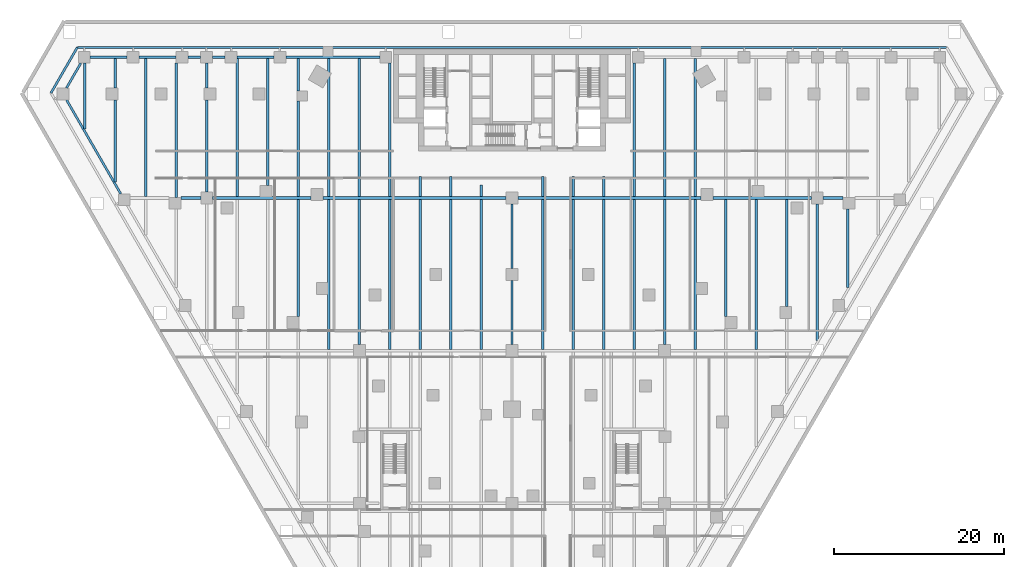
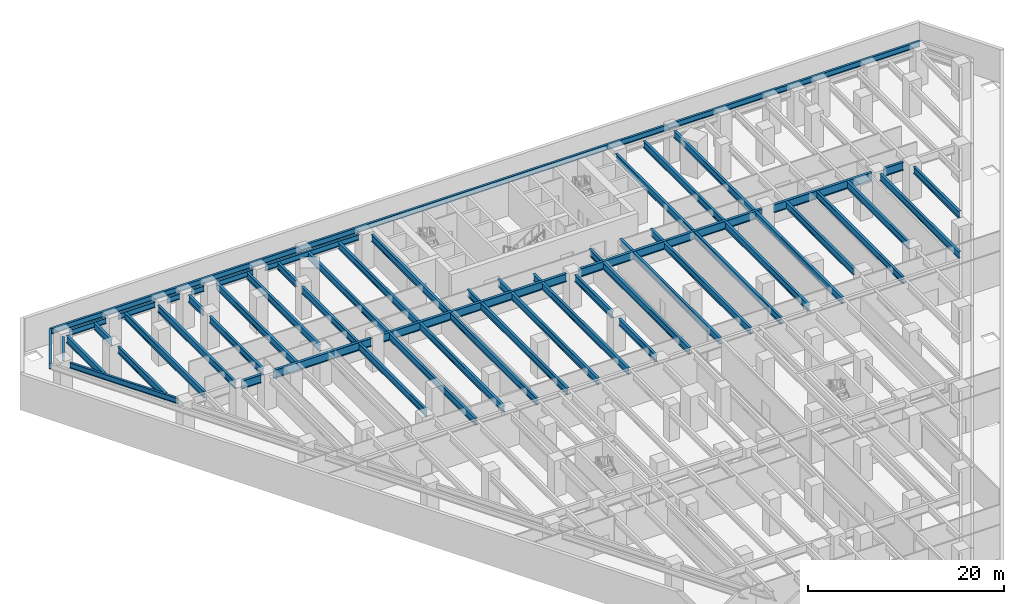
# One storey, part 3 of 20: 59 beams.
"""IFC4 building model written with IfcOpenShell, lengths in metres."""

from ifc_helpers import new_model, si_unit, direction, frame, origin, origin_2d, place, context, subcontext, project, spatial, i_section, extrude, material, material_profile, profile_set, type_object, element, save


model = new_model("IFC4")

# Units and contexts
model_context = context("Model", 3, precision=1e-05, world=origin(), true_north=direction((0.0, 1.0)))
body_context = subcontext(model_context, "Body", "Model", "MODEL_VIEW")
ifc_project = project(units=[si_unit("LENGTHUNIT", "METRE"), si_unit("AREAUNIT", "SQUARE_METRE"), si_unit("VOLUMEUNIT", "CUBIC_METRE"), si_unit("PLANEANGLEUNIT", "RADIAN"), si_unit("MASSUNIT", "GRAM", prefix="KILO")], contexts=[model_context])

# Site, building, storey
site_placement = place(None, origin())
site = spatial("IfcSite", under=ifc_project, at=site_placement, CompositionType="ELEMENT")
building_placement = place(site_placement, origin())
building = spatial("IfcBuilding", under=site, at=building_placement, Name="Aloe Facet Convention Tower", CompositionType="ELEMENT")
storey_placement = place(building_placement, frame((0.0, 0.0, -4.5)))
storey = spatial("IfcBuildingStorey", under=building, at=storey_placement, Name="B1", CompositionType="ELEMENT", Elevation=-4.5)

# Beams
ifc_material_1 = material(Name="Steel S355", Category="steel")
ifc_material_profile_1 = material_profile(ifc_material_1, i_section(OverallWidth=0.25439453125, OverallDepth=0.6875, WebThickness=0.01318359375, FlangeThickness=0.02099609375, FilletRadius=0.01513671875, at=origin_2d()), Name="UB 686x254x152")
ifc_profile_set_1 = profile_set([ifc_material_profile_1], Name="Steel S355")
beam_type_1 = type_object("IfcBeamType", Name="EV-EB-UB686x254x152", PredefinedType="BEAM", material=ifc_profile_set_1)
beam_1_placement = place(storey_placement, frame((131.267578125, 134.77490234375, 3.856201171875), z_axis=(-1.0, 0.0, 0.0), x_axis=(0.0, -1.0, 0.0)))
element("IfcBeam", 1, at=beam_1_placement, inside=storey, type_object=beam_type_1, Name="EB-L00-N", PredefinedType="BEAM", context=body_context, shape_type="SweptSolid", body=[
    extrude(i_section(OverallWidth=0.25439453125, OverallDepth=0.6875, WebThickness=0.01318359375, FlangeThickness=0.02099609375, FilletRadius=0.01513671875, at=origin_2d()), origin(), (0.0, 0.0, 1.0), 102.53515625),
])
beam_2_placement = place(storey_placement, frame((28.732421875, 134.77490234375, 3.856201171875), z_axis=(-0.500016243463, -0.866016025414, 0.0), x_axis=(0.866016025414, -0.500016243463, 0.0)))
element("IfcBeam", 2, at=beam_2_placement, inside=storey, type_object=beam_type_1, Name="EB-L00-A", PredefinedType="BEAM", context=body_context, shape_type="SweptSolid", body=[
    extrude(i_section(OverallWidth=0.25439453125, OverallDepth=0.6875, WebThickness=0.01318359375, FlangeThickness=0.02099609375, FilletRadius=0.01513671875, at=origin_2d()), origin(), (0.0, 0.0, 1.0), 6.210205078125),
])
ifc_material_2 = material(Name="Steel S355", Category="steel")
ifc_material_profile_2 = material_profile(ifc_material_2, i_section(OverallWidth=0.305419921875, OverallDepth=1.02587890625, WebThickness=0.02001953125, FlangeThickness=0.031005859375, FilletRadius=0.030029296875, at=origin_2d()), Name="UB 1016x305x349")
ifc_profile_set_2 = profile_set([ifc_material_profile_2], Name="Steel S355")
beam_type_2 = type_object("IfcBeamType", Name="SF-B-UB1016x305x349", PredefinedType="BEAM", material=ifc_profile_set_2)
beam_3_placement = place(storey_placement, frame((40.969970703125, 117.0, 3.68701171875), z_axis=(1.0, 0.0, 0.0), x_axis=(0.0, 1.0, 0.0)))
element("IfcBeam", 3, at=beam_3_placement, inside=storey, type_object=beam_type_2, Name="Floor beam FB-L00-031", PredefinedType="BEAM", context=body_context, shape_type="SweptSolid", body=[
    extrude(i_section(OverallWidth=0.305419921875, OverallDepth=1.02587890625, WebThickness=0.02001953125, FlangeThickness=0.031005859375, FilletRadius=0.030029296875, at=origin_2d()), origin(), (0.0, 0.0, 1.0), 2.330078125),
])
beam_4_placement = place(storey_placement, frame((44.699951171875, 117.0, 3.68701171875), z_axis=(1.0, 0.0, 0.0), x_axis=(0.0, 1.0, 0.0)))
element("IfcBeam", 4, at=beam_4_placement, inside=storey, type_object=beam_type_2, Name="Floor beam FB-L00-033", PredefinedType="BEAM", context=body_context, shape_type="SweptSolid", body=[
    extrude(i_section(OverallWidth=0.305419921875, OverallDepth=1.02587890625, WebThickness=0.02001953125, FlangeThickness=0.031005859375, FilletRadius=0.030029296875, at=origin_2d()), origin(), (0.0, 0.0, 1.0), 11.583984375),
])
for number, where, z_axis, x_axis, name in (
    (5, (57.68408203125, 117.0, 3.68701171875), (1.0, 0.0, 0.0), (0.0, 1.0, 0.0), "Floor beam FB-L00-035"),
    (6, (80.699951171875, 117.0, 3.68701171875), (1.0, 0.0, 0.0), (0.0, 1.0, 0.0), "Floor beam FB-L00-045"),
):
    element("IfcBeam", number, at=place(storey_placement, frame(where, z_axis=z_axis, x_axis=x_axis)), inside=storey, type_object=beam_type_2, Name=name, PredefinedType="BEAM", context=body_context, shape_type="SweptSolid", body=[
        extrude(i_section(OverallWidth=0.305419921875, OverallDepth=1.02587890625, WebThickness=0.02001953125, FlangeThickness=0.031005859375, FilletRadius=0.030029296875, at=origin_2d()), origin(), (0.0, 0.0, 1.0), 21.615966796875),
    ])
beam_5_placement = place(storey_placement, frame((103.716064453125, 117.0, 3.68701171875), z_axis=(1.0, 0.0, 0.0), x_axis=(0.0, 1.0, 0.0)))
element("IfcBeam", 7, at=beam_5_placement, inside=storey, type_object=beam_type_2, Name="Floor beam FB-L00-049", PredefinedType="BEAM", context=body_context, shape_type="SweptSolid", body=[
    extrude(i_section(OverallWidth=0.305419921875, OverallDepth=1.02587890625, WebThickness=0.02001953125, FlangeThickness=0.031005859375, FilletRadius=0.030029296875, at=origin_2d()), origin(), (0.0, 0.0, 1.0), 11.583984375),
])
beam_6_placement = place(storey_placement, frame((116.699951171875, 117.0, 3.68701171875), z_axis=(1.0, 0.0, 0.0), x_axis=(0.0, 1.0, 0.0)))
element("IfcBeam", 8, at=beam_6_placement, inside=storey, type_object=beam_type_2, Name="Floor beam FB-L00-050", PredefinedType="BEAM", context=body_context, shape_type="SweptSolid", body=[
    extrude(i_section(OverallWidth=0.305419921875, OverallDepth=1.02587890625, WebThickness=0.02001953125, FlangeThickness=0.031005859375, FilletRadius=0.030029296875, at=origin_2d()), origin(), (0.0, 0.0, 1.0), 2.330078125),
])
ifc_material_3 = material(Name="Steel S355", Category="steel")
ifc_material_profile_3 = material_profile(ifc_material_3, i_section(OverallWidth=0.25439453125, OverallDepth=0.6875, WebThickness=0.01318359375, FlangeThickness=0.02099609375, FilletRadius=0.01513671875, at=origin_2d()), Name="UB 686x254x152")
ifc_profile_set_3 = profile_set([ifc_material_profile_3], Name="Steel S355")
beam_type_3 = type_object("IfcBeamType", Name="SF-B-UB686x254x152", PredefinedType="BEAM", material=ifc_profile_set_3)
beam_7_placement = place(storey_placement, frame((27.453125, 129.98388671875, 3.856201171875), z_axis=(0.500006981563, 0.86602137294, 0.0), x_axis=(-0.86602137294, 0.500006981563, 0.0)))
element("IfcBeam", 9, at=beam_7_placement, inside=storey, type_object=beam_type_3, Name="Floor beam FB-L00-001", PredefinedType="BEAM", context=body_context, shape_type="SweptSolid", body=[
    extrude(i_section(OverallWidth=0.25439453125, OverallDepth=0.6875, WebThickness=0.01318359375, FlangeThickness=0.02099609375, FilletRadius=0.01513671875, at=origin_2d()), origin(), (0.0, 0.0, 1.0), 3.3671875),
])
beam_8_placement = place(storey_placement, frame((30.240966796875, 133.60009765625, 3.856201171875), z_axis=(1.0, 0.0, 0.0), x_axis=(0.0, 1.0, 0.0)))
element("IfcBeam", 10, at=beam_8_placement, inside=storey, type_object=beam_type_3, Name="Floor beam FB-L00-002", PredefinedType="BEAM", context=body_context, shape_type="SweptSolid", body=[
    extrude(i_section(OverallWidth=0.25439453125, OverallDepth=0.6875, WebThickness=0.01318359375, FlangeThickness=0.02099609375, FilletRadius=0.01513671875, at=origin_2d()), origin(), (0.0, 0.0, 1.0), 4.373046875),
])
beam_9_placement = place(storey_placement, frame((33.853271484375, 117.4990234375, 3.856201171875), z_axis=(-0.499999833739, 0.866025499775, 0.0), x_axis=(-0.866025499775, -0.499999833739, 0.0)))
element("IfcBeam", 11, at=beam_9_placement, inside=storey, type_object=beam_type_3, Name="Floor beam FB-L00-003", PredefinedType="BEAM", context=body_context, shape_type="SweptSolid", body=[
    extrude(i_section(OverallWidth=0.25439453125, OverallDepth=0.6875, WebThickness=0.01318359375, FlangeThickness=0.02099609375, FilletRadius=0.01513671875, at=origin_2d()), origin(), (0.0, 0.0, 1.0), 12.7998046875),
])
beam_10_placement = place(storey_placement, frame((36.013916015625, 133.60009765625, 3.856201171875), z_axis=(1.0, 0.0, 0.0), x_axis=(0.0, 1.0, 0.0)))
element("IfcBeam", 12, at=beam_10_placement, inside=storey, type_object=beam_type_3, Name="Floor beam FB-L00-004", PredefinedType="BEAM", context=body_context, shape_type="SweptSolid", body=[
    extrude(i_section(OverallWidth=0.25439453125, OverallDepth=0.6875, WebThickness=0.01318359375, FlangeThickness=0.02099609375, FilletRadius=0.01513671875, at=origin_2d()), origin(), (0.0, 0.0, 1.0), 4.3740234375),
])
beam_11_placement = place(storey_placement, frame((41.7880859375, 133.60009765625, 3.856201171875), z_axis=(1.0, 0.0, 0.0), x_axis=(0.0, 1.0, 0.0)))
element("IfcBeam", 13, at=beam_11_placement, inside=storey, type_object=beam_type_3, Name="Floor beam FB-L00-006", PredefinedType="BEAM", context=body_context, shape_type="SweptSolid", body=[
    extrude(i_section(OverallWidth=0.25439453125, OverallDepth=0.6875, WebThickness=0.01318359375, FlangeThickness=0.02099609375, FilletRadius=0.01513671875, at=origin_2d()), origin(), (0.0, 0.0, 1.0), 1.469970703125),
])
beam_12_placement = place(storey_placement, frame((44.657958984375, 133.60009765625, 3.856201171875), z_axis=(1.0, 0.0, 0.0), x_axis=(0.0, 1.0, 0.0)))
element("IfcBeam", 14, at=beam_12_placement, inside=storey, type_object=beam_type_3, Name="Floor beam FB-L00-007", PredefinedType="BEAM", context=body_context, shape_type="SweptSolid", body=[
    extrude(i_section(OverallWidth=0.25439453125, OverallDepth=0.6875, WebThickness=0.01318359375, FlangeThickness=0.02099609375, FilletRadius=0.01513671875, at=origin_2d()), origin(), (0.0, 0.0, 1.0), 1.5029296875),
])
beam_13_placement = place(storey_placement, frame((47.56103515625, 133.60009765625, 3.856201171875), z_axis=(1.0, 0.0, 0.0), x_axis=(0.0, 1.0, 0.0)))
element("IfcBeam", 15, at=beam_13_placement, inside=storey, type_object=beam_type_3, Name="Floor beam FB-L00-008", PredefinedType="BEAM", context=body_context, shape_type="SweptSolid", body=[
    extrude(i_section(OverallWidth=0.25439453125, OverallDepth=0.6875, WebThickness=0.01318359375, FlangeThickness=0.02099609375, FilletRadius=0.01513671875, at=origin_2d()), origin(), (0.0, 0.0, 1.0), 4.3740234375),
])
beam_14_placement = place(storey_placement, frame((53.3349609375, 133.60009765625, 3.856201171875), z_axis=(1.0, 0.0, 0.0), x_axis=(0.0, 1.0, 0.0)))
element("IfcBeam", 16, at=beam_14_placement, inside=storey, type_object=beam_type_3, Name="Floor beam FB-L00-010", PredefinedType="BEAM", context=body_context, shape_type="SweptSolid", body=[
    extrude(i_section(OverallWidth=0.25439453125, OverallDepth=0.6875, WebThickness=0.01318359375, FlangeThickness=0.02099609375, FilletRadius=0.01513671875, at=origin_2d()), origin(), (0.0, 0.0, 1.0), 11.070068359375),
])
ifc_material_4 = material(Name="Steel S355", Category="steel")
ifc_material_profile_4 = material_profile(ifc_material_4, i_section(OverallWidth=0.293701171875, OverallDepth=0.850830078125, WebThickness=0.01611328125, FlangeThickness=0.02685546875, FilletRadius=0.017822265625, at=origin_2d()), Name="UB 838x292x226")
ifc_profile_set_4 = profile_set([ifc_material_profile_4], Name="Steel S355")
beam_type_4 = type_object("IfcBeamType", Name="SF-B-UB838x292x226", PredefinedType="BEAM", material=ifc_profile_set_4)
beam_15_placement = place(storey_placement, frame((29.60009765625, 125.13037109375, 3.774658203125), z_axis=(0.0, 1.0, 0.0), x_axis=(-1.0, 0.0, 0.0)))
element("IfcBeam", 17, at=beam_15_placement, inside=storey, type_object=beam_type_4, Name="Floor beam FB-L00-052", PredefinedType="BEAM", context=body_context, shape_type="SweptSolid", body=[
    extrude(i_section(OverallWidth=0.293701171875, OverallDepth=0.850830078125, WebThickness=0.01611328125, FlangeThickness=0.02685546875, FilletRadius=0.017822265625, at=origin_2d()), origin(), (0.0, 0.0, 1.0), 7.76953125),
])
beam_16_placement = place(storey_placement, frame((33.199951171875, 118.89501953125, 3.774658203125), z_axis=(0.0, 1.0, 0.0), x_axis=(-1.0, 0.0, 0.0)))
element("IfcBeam", 18, at=beam_16_placement, inside=storey, type_object=beam_type_4, Name="Floor beam FB-L00-053", PredefinedType="BEAM", context=body_context, shape_type="SweptSolid", body=[
    extrude(i_section(OverallWidth=0.293701171875, OverallDepth=0.850830078125, WebThickness=0.01611328125, FlangeThickness=0.02685546875, FilletRadius=0.017822265625, at=origin_2d()), origin(), (0.0, 0.0, 1.0), 9.68896484375),
])
beam_17_placement = place(storey_placement, frame((33.199951171875, 129.98388671875, 3.774658203125), z_axis=(0.0, 1.0, 0.0), x_axis=(-1.0, 0.0, 0.0)))
element("IfcBeam", 19, at=beam_17_placement, inside=storey, type_object=beam_type_4, Name="Floor beam FB-L00-054", PredefinedType="BEAM", context=body_context, shape_type="SweptSolid", body=[
    extrude(i_section(OverallWidth=0.293701171875, OverallDepth=0.850830078125, WebThickness=0.01611328125, FlangeThickness=0.02685546875, FilletRadius=0.017822265625, at=origin_2d()), origin(), (0.0, 0.0, 1.0), 3.478759765625),
])
beam_18_placement = place(storey_placement, frame((36.800048828125, 117.152587890625, 3.774658203125), z_axis=(0.0, 1.0, 0.0), x_axis=(-1.0, 0.0, 0.0)))
element("IfcBeam", 20, at=beam_18_placement, inside=storey, type_object=beam_type_4, Name="Floor beam FB-L00-056", PredefinedType="BEAM", context=body_context, shape_type="SweptSolid", body=[
    extrude(i_section(OverallWidth=0.293701171875, OverallDepth=0.850830078125, WebThickness=0.01611328125, FlangeThickness=0.02685546875, FilletRadius=0.017822265625, at=origin_2d()), origin(), (0.0, 0.0, 1.0), 16.31005859375),
])
beam_19_placement = place(storey_placement, frame((40.39990234375, 117.0849609375, 3.774658203125), z_axis=(0.0, 1.0, 0.0), x_axis=(-1.0, 0.0, 0.0)))
element("IfcBeam", 21, at=beam_19_placement, inside=storey, type_object=beam_type_4, Name="Floor beam FB-L00-058", PredefinedType="BEAM", context=body_context, shape_type="SweptSolid", body=[
    extrude(i_section(OverallWidth=0.293701171875, OverallDepth=0.850830078125, WebThickness=0.01611328125, FlangeThickness=0.02685546875, FilletRadius=0.017822265625, at=origin_2d()), origin(), (0.0, 0.0, 1.0), 15.81494140625),
])
beam_20_placement = place(storey_placement, frame((44.0, 117.699951171875, 3.774658203125), z_axis=(0.0, 1.0, 0.0), x_axis=(-1.0, 0.0, 0.0)))
element("IfcBeam", 22, at=beam_20_placement, inside=storey, type_object=beam_type_4, Name="Floor beam FB-L00-060", PredefinedType="BEAM", context=body_context, shape_type="SweptSolid", body=[
    extrude(i_section(OverallWidth=0.293701171875, OverallDepth=0.850830078125, WebThickness=0.01611328125, FlangeThickness=0.02685546875, FilletRadius=0.017822265625, at=origin_2d()), origin(), (0.0, 0.0, 1.0), 10.884033203125),
])
beam_21_placement = place(storey_placement, frame((44.0, 129.98388671875, 3.774658203125), z_axis=(0.0, 1.0, 0.0), x_axis=(-1.0, 0.0, 0.0)))
element("IfcBeam", 23, at=beam_21_placement, inside=storey, type_object=beam_type_4, Name="Floor beam FB-L00-061", PredefinedType="BEAM", context=body_context, shape_type="SweptSolid", body=[
    extrude(i_section(OverallWidth=0.293701171875, OverallDepth=0.850830078125, WebThickness=0.01611328125, FlangeThickness=0.02685546875, FilletRadius=0.017822265625, at=origin_2d()), origin(), (0.0, 0.0, 1.0), 2.916015625),
])
beam_22_placement = place(storey_placement, frame((47.60009765625, 117.152587890625, 3.774658203125), z_axis=(0.0, 1.0, 0.0), x_axis=(-1.0, 0.0, 0.0)))
element("IfcBeam", 24, at=beam_22_placement, inside=storey, type_object=beam_type_4, Name="Floor beam FB-L00-065", PredefinedType="BEAM", context=body_context, shape_type="SweptSolid", body=[
    extrude(i_section(OverallWidth=0.293701171875, OverallDepth=0.850830078125, WebThickness=0.01611328125, FlangeThickness=0.02685546875, FilletRadius=0.017822265625, at=origin_2d()), origin(), (0.0, 0.0, 1.0), 16.31005859375),
])
beam_23_placement = place(storey_placement, frame((51.199951171875, 118.5048828125, 3.774658203125), z_axis=(0.0, 1.0, 0.0), x_axis=(-1.0, 0.0, 0.0)))
element("IfcBeam", 25, at=beam_23_placement, inside=storey, type_object=beam_type_4, Name="Floor beam FB-L00-068", PredefinedType="BEAM", context=body_context, shape_type="SweptSolid", body=[
    extrude(i_section(OverallWidth=0.293701171875, OverallDepth=0.850830078125, WebThickness=0.01611328125, FlangeThickness=0.02685546875, FilletRadius=0.017822265625, at=origin_2d()), origin(), (0.0, 0.0, 1.0), 14.957763671875),
])
beam_24_placement = place(storey_placement, frame((54.800048828125, 103.02490234375, 3.774658203125), z_axis=(0.0, 1.0, 0.0), x_axis=(-1.0, 0.0, 0.0)))
element("IfcBeam", 26, at=beam_24_placement, inside=storey, type_object=beam_type_4, Name="Floor beam FB-L00-072", PredefinedType="BEAM", context=body_context, shape_type="SweptSolid", body=[
    extrude(i_section(OverallWidth=0.293701171875, OverallDepth=0.850830078125, WebThickness=0.01611328125, FlangeThickness=0.02685546875, FilletRadius=0.017822265625, at=origin_2d()), origin(), (0.0, 0.0, 1.0), 13.822509765625),
])
beam_25_placement = place(storey_placement, frame((54.800048828125, 117.152587890625, 3.774658203125), z_axis=(0.0, 1.0, 0.0), x_axis=(-1.0, 0.0, 0.0)))
element("IfcBeam", 27, at=beam_25_placement, inside=storey, type_object=beam_type_4, Name="Floor beam FB-L00-073", PredefinedType="BEAM", context=body_context, shape_type="SweptSolid", body=[
    extrude(i_section(OverallWidth=0.293701171875, OverallDepth=0.850830078125, WebThickness=0.01611328125, FlangeThickness=0.02685546875, FilletRadius=0.017822265625, at=origin_2d()), origin(), (0.0, 0.0, 1.0), 11.275390625),
])
beam_26_placement = place(storey_placement, frame((54.800048828125, 129.6279296875, 3.774658203125), z_axis=(0.0, 1.0, 0.0), x_axis=(-1.0, 0.0, 0.0)))
element("IfcBeam", 28, at=beam_26_placement, inside=storey, type_object=beam_type_4, Name="Floor beam FB-L00-074", PredefinedType="BEAM", context=body_context, shape_type="SweptSolid", body=[
    extrude(i_section(OverallWidth=0.293701171875, OverallDepth=0.850830078125, WebThickness=0.01611328125, FlangeThickness=0.02685546875, FilletRadius=0.017822265625, at=origin_2d()), origin(), (0.0, 0.0, 1.0), 3.834716796875),
])
beam_27_placement = place(storey_placement, frame((58.39990234375, 99.152587890625, 3.774658203125), z_axis=(0.0, 1.0, 0.0), x_axis=(-1.0, 0.0, 0.0)))
element("IfcBeam", 29, at=beam_27_placement, inside=storey, type_object=beam_type_4, Name="Floor beam FB-L00-077", PredefinedType="BEAM", context=body_context, shape_type="SweptSolid", body=[
    extrude(i_section(OverallWidth=0.293701171875, OverallDepth=0.850830078125, WebThickness=0.01611328125, FlangeThickness=0.02685546875, FilletRadius=0.017822265625, at=origin_2d()), origin(), (0.0, 0.0, 1.0), 17.69482421875),
])
beam_28_placement = place(storey_placement, frame((58.39990234375, 117.152587890625, 3.774658203125), z_axis=(0.0, 1.0, 0.0), x_axis=(-1.0, 0.0, 0.0)))
element("IfcBeam", 30, at=beam_28_placement, inside=storey, type_object=beam_type_4, Name="Floor beam FB-L00-078", PredefinedType="BEAM", context=body_context, shape_type="SweptSolid", body=[
    extrude(i_section(OverallWidth=0.293701171875, OverallDepth=0.850830078125, WebThickness=0.01611328125, FlangeThickness=0.02685546875, FilletRadius=0.017822265625, at=origin_2d()), origin(), (0.0, 0.0, 1.0), 16.31005859375),
])
beam_29_placement = place(storey_placement, frame((62.0, 99.699951171875, 3.774658203125), z_axis=(0.0, 1.0, 0.0), x_axis=(-1.0, 0.0, 0.0)))
element("IfcBeam", 31, at=beam_29_placement, inside=storey, type_object=beam_type_4, Name="Floor beam FB-L00-085", PredefinedType="BEAM", context=body_context, shape_type="SweptSolid", body=[
    extrude(i_section(OverallWidth=0.293701171875, OverallDepth=0.850830078125, WebThickness=0.01611328125, FlangeThickness=0.02685546875, FilletRadius=0.017822265625, at=origin_2d()), origin(), (0.0, 0.0, 1.0), 17.1474609375),
])
beam_30_placement = place(storey_placement, frame((62.0, 117.152587890625, 3.774658203125), z_axis=(0.0, 1.0, 0.0), x_axis=(-1.0, 0.0, 0.0)))
element("IfcBeam", 32, at=beam_30_placement, inside=storey, type_object=beam_type_4, Name="Floor beam FB-L00-086", PredefinedType="BEAM", context=body_context, shape_type="SweptSolid", body=[
    extrude(i_section(OverallWidth=0.293701171875, OverallDepth=0.850830078125, WebThickness=0.01611328125, FlangeThickness=0.02685546875, FilletRadius=0.017822265625, at=origin_2d()), origin(), (0.0, 0.0, 1.0), 16.31005859375),
])
beam_31_placement = place(storey_placement, frame((65.60009765625, 99.152587890625, 3.774658203125), z_axis=(0.0, 1.0, 0.0), x_axis=(-1.0, 0.0, 0.0)))
element("IfcBeam", 33, at=beam_31_placement, inside=storey, type_object=beam_type_4, Name="Floor beam FB-L00-089", PredefinedType="BEAM", context=body_context, shape_type="SweptSolid", body=[
    extrude(i_section(OverallWidth=0.293701171875, OverallDepth=0.850830078125, WebThickness=0.01611328125, FlangeThickness=0.02685546875, FilletRadius=0.017822265625, at=origin_2d()), origin(), (0.0, 0.0, 1.0), 17.69482421875),
])
beam_32_placement = place(storey_placement, frame((65.60009765625, 117.152587890625, 3.774658203125), z_axis=(0.0, 1.0, 0.0), x_axis=(-1.0, 0.0, 0.0)))
element("IfcBeam", 34, at=beam_32_placement, inside=storey, type_object=beam_type_4, Name="Floor beam FB-L00-090", PredefinedType="BEAM", context=body_context, shape_type="SweptSolid", body=[
    extrude(i_section(OverallWidth=0.293701171875, OverallDepth=0.850830078125, WebThickness=0.01611328125, FlangeThickness=0.02685546875, FilletRadius=0.017822265625, at=origin_2d()), origin(), (0.0, 0.0, 1.0), 15.747314453125),
])
beam_33_placement = place(storey_placement, frame((69.199951171875, 99.152587890625, 3.774658203125), z_axis=(0.0, 1.0, 0.0), x_axis=(-1.0, 0.0, 0.0)))
element("IfcBeam", 35, at=beam_33_placement, inside=storey, type_object=beam_type_4, Name="Floor beam FB-L00-096", PredefinedType="BEAM", context=body_context, shape_type="SweptSolid", body=[
    extrude(i_section(OverallWidth=0.293701171875, OverallDepth=0.850830078125, WebThickness=0.01611328125, FlangeThickness=0.02685546875, FilletRadius=0.017822265625, at=origin_2d()), origin(), (0.0, 0.0, 1.0), 17.69482421875),
])
beam_34_placement = place(storey_placement, frame((69.199951171875, 117.152587890625, 3.774658203125), z_axis=(0.0, 1.0, 0.0), x_axis=(-1.0, 0.0, 0.0)))
element("IfcBeam", 36, at=beam_34_placement, inside=storey, type_object=beam_type_4, Name="Floor beam FB-L00-097", PredefinedType="BEAM", context=body_context, shape_type="SweptSolid", body=[
    extrude(i_section(OverallWidth=0.293701171875, OverallDepth=0.850830078125, WebThickness=0.01611328125, FlangeThickness=0.02685546875, FilletRadius=0.017822265625, at=origin_2d()), origin(), (0.0, 0.0, 1.0), 2.3974609375),
])
beam_35_placement = place(storey_placement, frame((72.800048828125, 99.152587890625, 3.774658203125), z_axis=(0.0, 1.0, 0.0), x_axis=(-1.0, 0.0, 0.0)))
element("IfcBeam", 37, at=beam_35_placement, inside=storey, type_object=beam_type_4, Name="Floor beam FB-L00-101", PredefinedType="BEAM", context=body_context, shape_type="SweptSolid", body=[
    extrude(i_section(OverallWidth=0.293701171875, OverallDepth=0.850830078125, WebThickness=0.01611328125, FlangeThickness=0.02685546875, FilletRadius=0.017822265625, at=origin_2d()), origin(), (0.0, 0.0, 1.0), 17.69482421875),
])
beam_36_placement = place(storey_placement, frame((72.800048828125, 117.152587890625, 3.774658203125), z_axis=(0.0, 1.0, 0.0), x_axis=(-1.0, 0.0, 0.0)))
element("IfcBeam", 38, at=beam_36_placement, inside=storey, type_object=beam_type_4, Name="Floor beam FB-L00-102", PredefinedType="BEAM", context=body_context, shape_type="SweptSolid", body=[
    extrude(i_section(OverallWidth=0.293701171875, OverallDepth=0.850830078125, WebThickness=0.01611328125, FlangeThickness=0.02685546875, FilletRadius=0.017822265625, at=origin_2d()), origin(), (0.0, 0.0, 1.0), 2.3974609375),
])
beam_37_placement = place(storey_placement, frame((76.39990234375, 99.152587890625, 3.774658203125), z_axis=(0.0, 1.0, 0.0), x_axis=(-1.0, 0.0, 0.0)))
element("IfcBeam", 39, at=beam_37_placement, inside=storey, type_object=beam_type_4, Name="Floor beam FB-L00-107", PredefinedType="BEAM", context=body_context, shape_type="SweptSolid", body=[
    extrude(i_section(OverallWidth=0.293701171875, OverallDepth=0.850830078125, WebThickness=0.01611328125, FlangeThickness=0.02685546875, FilletRadius=0.017822265625, at=origin_2d()), origin(), (0.0, 0.0, 1.0), 17.69482421875),
])
beam_38_placement = place(storey_placement, frame((76.39990234375, 117.152587890625, 3.774658203125), z_axis=(0.0, 1.0, 0.0), x_axis=(-1.0, 0.0, 0.0)))
element("IfcBeam", 40, at=beam_38_placement, inside=storey, type_object=beam_type_4, Name="Floor beam FB-L00-108", PredefinedType="BEAM", context=body_context, shape_type="SweptSolid", body=[
    extrude(i_section(OverallWidth=0.293701171875, OverallDepth=0.850830078125, WebThickness=0.01611328125, FlangeThickness=0.02685546875, FilletRadius=0.017822265625, at=origin_2d()), origin(), (0.0, 0.0, 1.0), 1.3974609375),
])
for number, where, z_axis, x_axis, name in (
    (41, (80.0, 99.699951171875, 3.774658203125), (0.0, 1.0, 0.0), (-1.0, 0.0, 0.0), "Floor beam FB-L00-113"),
    (42, (80.0, 108.699951171875, 3.774658203125), (0.0, 1.0, 0.0), (-1.0, 0.0, 0.0), "Floor beam FB-L00-114"),
):
    element("IfcBeam", number, at=place(storey_placement, frame(where, z_axis=z_axis, x_axis=x_axis)), inside=storey, type_object=beam_type_4, Name=name, PredefinedType="BEAM", context=body_context, shape_type="SweptSolid", body=[
        extrude(i_section(OverallWidth=0.293701171875, OverallDepth=0.850830078125, WebThickness=0.01611328125, FlangeThickness=0.02685546875, FilletRadius=0.017822265625, at=origin_2d()), origin(), (0.0, 0.0, 1.0), 7.60009765625),
    ])
beam_39_placement = place(storey_placement, frame((83.60009765625, 99.152587890625, 3.774658203125), z_axis=(0.0, 1.0, 0.0), x_axis=(-1.0, 0.0, 0.0)))
element("IfcBeam", 43, at=beam_39_placement, inside=storey, type_object=beam_type_4, Name="Floor beam FB-L00-119", PredefinedType="BEAM", context=body_context, shape_type="SweptSolid", body=[
    extrude(i_section(OverallWidth=0.293701171875, OverallDepth=0.850830078125, WebThickness=0.01611328125, FlangeThickness=0.02685546875, FilletRadius=0.017822265625, at=origin_2d()), origin(), (0.0, 0.0, 1.0), 17.69482421875),
])
beam_40_placement = place(storey_placement, frame((83.60009765625, 117.152587890625, 3.774658203125), z_axis=(0.0, 1.0, 0.0), x_axis=(-1.0, 0.0, 0.0)))
element("IfcBeam", 44, at=beam_40_placement, inside=storey, type_object=beam_type_4, Name="Floor beam FB-L00-120", PredefinedType="BEAM", context=body_context, shape_type="SweptSolid", body=[
    extrude(i_section(OverallWidth=0.293701171875, OverallDepth=0.850830078125, WebThickness=0.01611328125, FlangeThickness=0.02685546875, FilletRadius=0.017822265625, at=origin_2d()), origin(), (0.0, 0.0, 1.0), 2.3974609375),
])
beam_41_placement = place(storey_placement, frame((87.199951171875, 99.152587890625, 3.774658203125), z_axis=(0.0, 1.0, 0.0), x_axis=(-1.0, 0.0, 0.0)))
element("IfcBeam", 45, at=beam_41_placement, inside=storey, type_object=beam_type_4, Name="Floor beam FB-L00-124", PredefinedType="BEAM", context=body_context, shape_type="SweptSolid", body=[
    extrude(i_section(OverallWidth=0.293701171875, OverallDepth=0.850830078125, WebThickness=0.01611328125, FlangeThickness=0.02685546875, FilletRadius=0.017822265625, at=origin_2d()), origin(), (0.0, 0.0, 1.0), 17.69482421875),
])
beam_42_placement = place(storey_placement, frame((87.199951171875, 117.152587890625, 3.774658203125), z_axis=(0.0, 1.0, 0.0), x_axis=(-1.0, 0.0, 0.0)))
element("IfcBeam", 46, at=beam_42_placement, inside=storey, type_object=beam_type_4, Name="Floor beam FB-L00-125", PredefinedType="BEAM", context=body_context, shape_type="SweptSolid", body=[
    extrude(i_section(OverallWidth=0.293701171875, OverallDepth=0.850830078125, WebThickness=0.01611328125, FlangeThickness=0.02685546875, FilletRadius=0.017822265625, at=origin_2d()), origin(), (0.0, 0.0, 1.0), 2.3974609375),
])
beam_43_placement = place(storey_placement, frame((90.800048828125, 99.152587890625, 3.774658203125), z_axis=(0.0, 1.0, 0.0), x_axis=(-1.0, 0.0, 0.0)))
element("IfcBeam", 47, at=beam_43_placement, inside=storey, type_object=beam_type_4, Name="Floor beam FB-L00-132", PredefinedType="BEAM", context=body_context, shape_type="SweptSolid", body=[
    extrude(i_section(OverallWidth=0.293701171875, OverallDepth=0.850830078125, WebThickness=0.01611328125, FlangeThickness=0.02685546875, FilletRadius=0.017822265625, at=origin_2d()), origin(), (0.0, 0.0, 1.0), 17.69482421875),
])
beam_44_placement = place(storey_placement, frame((90.800048828125, 117.152587890625, 3.774658203125), z_axis=(0.0, 1.0, 0.0), x_axis=(-1.0, 0.0, 0.0)))
element("IfcBeam", 48, at=beam_44_placement, inside=storey, type_object=beam_type_4, Name="Floor beam FB-L00-133", PredefinedType="BEAM", context=body_context, shape_type="SweptSolid", body=[
    extrude(i_section(OverallWidth=0.293701171875, OverallDepth=0.850830078125, WebThickness=0.01611328125, FlangeThickness=0.02685546875, FilletRadius=0.017822265625, at=origin_2d()), origin(), (0.0, 0.0, 1.0), 2.3974609375),
])
beam_45_placement = place(storey_placement, frame((94.39990234375, 99.152587890625, 3.774658203125), z_axis=(0.0, 1.0, 0.0), x_axis=(-1.0, 0.0, 0.0)))
element("IfcBeam", 49, at=beam_45_placement, inside=storey, type_object=beam_type_4, Name="Floor beam FB-L00-137", PredefinedType="BEAM", context=body_context, shape_type="SweptSolid", body=[
    extrude(i_section(OverallWidth=0.293701171875, OverallDepth=0.850830078125, WebThickness=0.01611328125, FlangeThickness=0.02685546875, FilletRadius=0.017822265625, at=origin_2d()), origin(), (0.0, 0.0, 1.0), 17.69482421875),
])
beam_46_placement = place(storey_placement, frame((94.39990234375, 117.152587890625, 3.774658203125), z_axis=(0.0, 1.0, 0.0), x_axis=(-1.0, 0.0, 0.0)))
element("IfcBeam", 50, at=beam_46_placement, inside=storey, type_object=beam_type_4, Name="Floor beam FB-L00-138", PredefinedType="BEAM", context=body_context, shape_type="SweptSolid", body=[
    extrude(i_section(OverallWidth=0.293701171875, OverallDepth=0.850830078125, WebThickness=0.01611328125, FlangeThickness=0.02685546875, FilletRadius=0.017822265625, at=origin_2d()), origin(), (0.0, 0.0, 1.0), 15.747314453125),
])
beam_47_placement = place(storey_placement, frame((98.0, 99.699951171875, 3.774658203125), z_axis=(0.0, 1.0, 0.0), x_axis=(-1.0, 0.0, 0.0)))
element("IfcBeam", 51, at=beam_47_placement, inside=storey, type_object=beam_type_4, Name="Floor beam FB-L00-143", PredefinedType="BEAM", context=body_context, shape_type="SweptSolid", body=[
    extrude(i_section(OverallWidth=0.293701171875, OverallDepth=0.850830078125, WebThickness=0.01611328125, FlangeThickness=0.02685546875, FilletRadius=0.017822265625, at=origin_2d()), origin(), (0.0, 0.0, 1.0), 17.1474609375),
])
beam_48_placement = place(storey_placement, frame((98.0, 117.152587890625, 3.774658203125), z_axis=(0.0, 1.0, 0.0), x_axis=(-1.0, 0.0, 0.0)))
element("IfcBeam", 52, at=beam_48_placement, inside=storey, type_object=beam_type_4, Name="Floor beam FB-L00-144", PredefinedType="BEAM", context=body_context, shape_type="SweptSolid", body=[
    extrude(i_section(OverallWidth=0.293701171875, OverallDepth=0.850830078125, WebThickness=0.01611328125, FlangeThickness=0.02685546875, FilletRadius=0.017822265625, at=origin_2d()), origin(), (0.0, 0.0, 1.0), 16.31005859375),
])
beam_49_placement = place(storey_placement, frame((101.60009765625, 99.152587890625, 3.774658203125), z_axis=(0.0, 1.0, 0.0), x_axis=(-1.0, 0.0, 0.0)))
element("IfcBeam", 53, at=beam_49_placement, inside=storey, type_object=beam_type_4, Name="Floor beam FB-L00-147", PredefinedType="BEAM", context=body_context, shape_type="SweptSolid", body=[
    extrude(i_section(OverallWidth=0.293701171875, OverallDepth=0.850830078125, WebThickness=0.01611328125, FlangeThickness=0.02685546875, FilletRadius=0.017822265625, at=origin_2d()), origin(), (0.0, 0.0, 1.0), 17.69482421875),
])
beam_50_placement = place(storey_placement, frame((101.60009765625, 117.152587890625, 3.774658203125), z_axis=(0.0, 1.0, 0.0), x_axis=(-1.0, 0.0, 0.0)))
element("IfcBeam", 54, at=beam_50_placement, inside=storey, type_object=beam_type_4, Name="Floor beam FB-L00-148", PredefinedType="BEAM", context=body_context, shape_type="SweptSolid", body=[
    extrude(i_section(OverallWidth=0.293701171875, OverallDepth=0.850830078125, WebThickness=0.01611328125, FlangeThickness=0.02685546875, FilletRadius=0.017822265625, at=origin_2d()), origin(), (0.0, 0.0, 1.0), 16.31005859375),
])
beam_51_placement = place(storey_placement, frame((105.199951171875, 103.02490234375, 3.774658203125), z_axis=(0.0, 1.0, 0.0), x_axis=(-1.0, 0.0, 0.0)))
element("IfcBeam", 55, at=beam_51_placement, inside=storey, type_object=beam_type_4, Name="Floor beam FB-L00-152", PredefinedType="BEAM", context=body_context, shape_type="SweptSolid", body=[
    extrude(i_section(OverallWidth=0.293701171875, OverallDepth=0.850830078125, WebThickness=0.01611328125, FlangeThickness=0.02685546875, FilletRadius=0.017822265625, at=origin_2d()), origin(), (0.0, 0.0, 1.0), 13.822509765625),
])
beam_52_placement = place(storey_placement, frame((108.800048828125, 99.152587890625, 3.774658203125), z_axis=(0.0, 1.0, 0.0), x_axis=(-1.0, 0.0, 0.0)))
element("IfcBeam", 56, at=beam_52_placement, inside=storey, type_object=beam_type_4, Name="Floor beam FB-L00-156", PredefinedType="BEAM", context=body_context, shape_type="SweptSolid", body=[
    extrude(i_section(OverallWidth=0.293701171875, OverallDepth=0.850830078125, WebThickness=0.01611328125, FlangeThickness=0.02685546875, FilletRadius=0.017822265625, at=origin_2d()), origin(), (0.0, 0.0, 1.0), 17.69482421875),
])
beam_53_placement = place(storey_placement, frame((112.39990234375, 104.18505859375, 3.774658203125), z_axis=(0.0, 1.0, 0.0), x_axis=(-1.0, 0.0, 0.0)))
element("IfcBeam", 57, at=beam_53_placement, inside=storey, type_object=beam_type_4, Name="Floor beam FB-L00-160", PredefinedType="BEAM", context=body_context, shape_type="SweptSolid", body=[
    extrude(i_section(OverallWidth=0.293701171875, OverallDepth=0.850830078125, WebThickness=0.01611328125, FlangeThickness=0.02685546875, FilletRadius=0.017822265625, at=origin_2d()), origin(), (0.0, 0.0, 1.0), 12.662353515625),
])
beam_54_placement = place(storey_placement, frame((116.0, 100.18896484375, 3.774658203125), z_axis=(0.0, 1.0, 0.0), x_axis=(-1.0, 0.0, 0.0)))
element("IfcBeam", 58, at=beam_54_placement, inside=storey, type_object=beam_type_4, Name="Floor beam FB-L00-162", PredefinedType="BEAM", context=body_context, shape_type="SweptSolid", body=[
    extrude(i_section(OverallWidth=0.293701171875, OverallDepth=0.850830078125, WebThickness=0.01611328125, FlangeThickness=0.02685546875, FilletRadius=0.017822265625, at=origin_2d()), origin(), (0.0, 0.0, 1.0), 16.111083984375),
])
beam_55_placement = place(storey_placement, frame((119.60009765625, 106.42431640625, 3.774658203125), z_axis=(0.0, 1.0, 0.0), x_axis=(-1.0, 0.0, 0.0)))
element("IfcBeam", 59, at=beam_55_placement, inside=storey, type_object=beam_type_4, Name="Floor beam FB-L00-165", PredefinedType="BEAM", context=body_context, shape_type="SweptSolid", body=[
    extrude(i_section(OverallWidth=0.293701171875, OverallDepth=0.850830078125, WebThickness=0.01611328125, FlangeThickness=0.02685546875, FilletRadius=0.017822265625, at=origin_2d()), origin(), (0.0, 0.0, 1.0), 9.2607421875),
])

save(model, "model.ifc")
